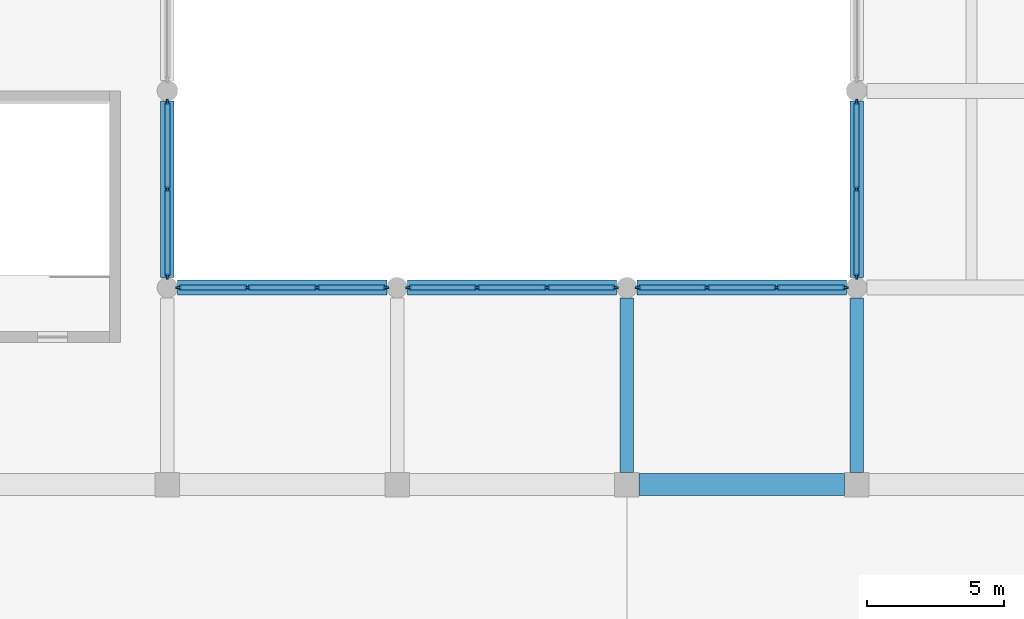
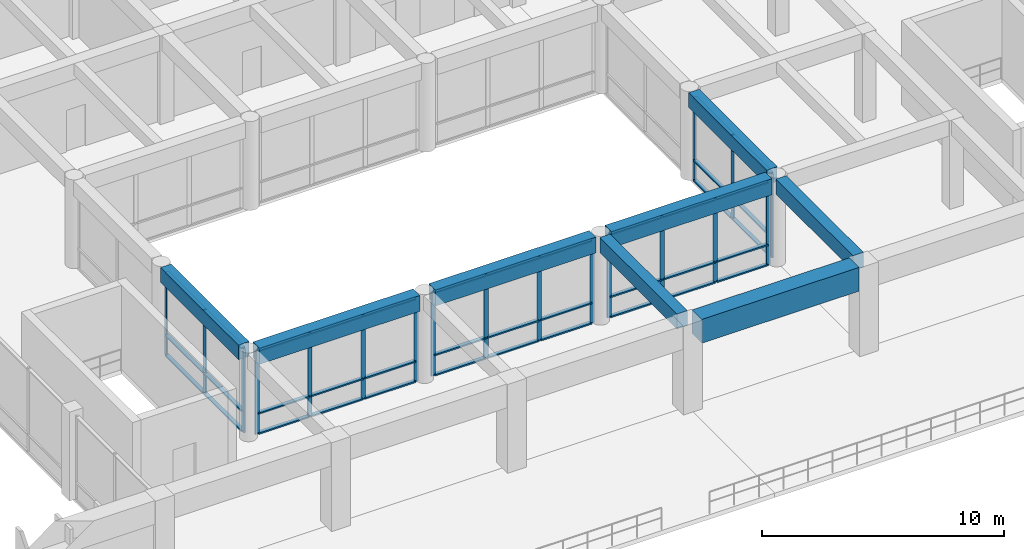
# One storey, part 11 of 40: 57 members, 8 beams, 5 elements without a shape of their own.
"""IFC4 building model written with IfcOpenShell, lengths in metres."""

from ifc_helpers import new_model, si_unit, direction, frame, origin, origin_2d, place, context, subcontext, project, spatial, rectangle, extrude, material, material_profile, profile_set, type_object, element, aggregate, save


model = new_model("IFC4")

# Units and contexts
model_context = context("Model", 3, precision=1e-05, world=origin(), true_north=direction((0.0, 1.0)))
body_context = subcontext(model_context, "Body", "Model", "MODEL_VIEW")
ifc_project = project(units=[si_unit("LENGTHUNIT", "METRE"), si_unit("AREAUNIT", "SQUARE_METRE"), si_unit("VOLUMEUNIT", "CUBIC_METRE"), si_unit("PLANEANGLEUNIT", "RADIAN"), si_unit("MASSUNIT", "GRAM", prefix="KILO")], contexts=[model_context])

# Site, building, storey
site_placement = place(None, origin())
site = spatial("IfcSite", under=ifc_project, at=site_placement, CompositionType="ELEMENT")
building_placement = place(site_placement, origin())
building = spatial("IfcBuilding", under=site, at=building_placement, Name="Kenerak Square Central Library", CompositionType="ELEMENT")
storey_placement = place(building_placement, frame((0.0, 0.0, 14.39990234375)))
storey = spatial("IfcBuildingStorey", under=building, at=storey_placement, Name="L03", CompositionType="ELEMENT", Elevation=14.39990234375)

# Curtain wall, members
ifc_material_1 = material(Name="Intumescent fire-resisting glazing EI 60", Category="glass")
curtain_wall_type_1 = type_object("IfcCurtainWallType", Name="Curtain Wall CW-AT60-76x42 7650x4230", PredefinedType="USERDEFINED", material=ifc_material_1)
curtain_wall_1_placement = place(storey_placement, origin())
curtain_wall_1 = element("IfcCurtainWall", 1, at=curtain_wall_1_placement, inside=storey, type_object=curtain_wall_type_1, Name="Atrium Fire-Rated Glazed Screen CW-AT60-76x42 L03 0167", ObjectType="CURTAIN WALL", PredefinedType="USERDEFINED")
ifc_material_2 = material(Name="Anodised aluminium 6063-T6", Category="aluminium")
ifc_material_profile_1 = material_profile(ifc_material_2, rectangle(XDim=0.070068359375, YDim=0.199951171875, at=origin_2d()), Name="AL MULLION 70x200")
ifc_profile_set_1 = profile_set([ifc_material_profile_1], Name="Anodised aluminium 6063-T6")
member_type_1 = type_object("IfcMemberType", Name="Fire-Rated Glazing Mullion CM-05 70x200", PredefinedType="MULLION", material=ifc_profile_set_1)
member_1_placement = place(storey_placement, frame((75.610107421875, 60.0, 0.0), z_axis=(0.0, 0.0, 1.0), x_axis=(0.0, 1.0, 0.0)))
member_1 = element("IfcMember", 2, at=member_1_placement, type_object=member_type_1, Name="CW-AT60-76x42 Mullion 1", PredefinedType="MULLION", context=body_context, shape_type="SweptSolid", body=[
    extrude(rectangle(XDim=0.070068359375, YDim=0.199951171875, at=origin_2d()), origin(), (0.0, 0.0, 1.0), 4.22998046875),
])
member_2_placement = place(storey_placement, frame((78.125, 60.0, 0.0), z_axis=(0.0, 0.0, 1.0), x_axis=(0.0, 1.0, 0.0)))
member_2 = element("IfcMember", 3, at=member_2_placement, type_object=member_type_1, Name="CW-AT60-76x42 Mullion 2", PredefinedType="MULLION", context=body_context, shape_type="SweptSolid", body=[
    extrude(rectangle(XDim=0.070068359375, YDim=0.199951171875, at=origin_2d()), origin(), (0.0, 0.0, 1.0), 4.22998046875),
])
member_3_placement = place(storey_placement, frame((80.675048828125, 60.0, 0.0), z_axis=(0.0, 0.0, 1.0), x_axis=(0.0, 1.0, 0.0)))
member_3 = element("IfcMember", 4, at=member_3_placement, type_object=member_type_1, Name="CW-AT60-76x42 Mullion 3", PredefinedType="MULLION", context=body_context, shape_type="SweptSolid", body=[
    extrude(rectangle(XDim=0.070068359375, YDim=0.199951171875, at=origin_2d()), origin(), (0.0, 0.0, 1.0), 4.22998046875),
])
member_4_placement = place(storey_placement, frame((83.18994140625, 60.0, 0.0), z_axis=(0.0, 0.0, 1.0), x_axis=(0.0, 1.0, 0.0)))
member_4 = element("IfcMember", 5, at=member_4_placement, type_object=member_type_1, Name="CW-AT60-76x42 Mullion 4", PredefinedType="MULLION", context=body_context, shape_type="SweptSolid", body=[
    extrude(rectangle(XDim=0.070068359375, YDim=0.199951171875, at=origin_2d()), origin(), (0.0, 0.0, 1.0), 4.22998046875),
])

curtain_wall_2_placement = place(storey_placement, origin())
curtain_wall_2 = element("IfcCurtainWall", 6, at=curtain_wall_2_placement, inside=storey, type_object=curtain_wall_type_1, Name="Atrium Fire-Rated Glazed Screen CW-AT60-76x42 L03 0168", ObjectType="CURTAIN WALL", PredefinedType="USERDEFINED")
member_5_placement = place(storey_placement, frame((84.010009765625, 60.0, 0.0), z_axis=(0.0, 0.0, 1.0), x_axis=(0.0, 1.0, 0.0)))
member_5 = element("IfcMember", 7, at=member_5_placement, type_object=member_type_1, Name="CW-AT60-76x42 Mullion 1", PredefinedType="MULLION", context=body_context, shape_type="SweptSolid", body=[
    extrude(rectangle(XDim=0.070068359375, YDim=0.199951171875, at=origin_2d()), origin(), (0.0, 0.0, 1.0), 4.22998046875),
])
member_6_placement = place(storey_placement, frame((86.52490234375, 60.0, 0.0), z_axis=(0.0, 0.0, 1.0), x_axis=(0.0, 1.0, 0.0)))
member_6 = element("IfcMember", 8, at=member_6_placement, type_object=member_type_1, Name="CW-AT60-76x42 Mullion 2", PredefinedType="MULLION", context=body_context, shape_type="SweptSolid", body=[
    extrude(rectangle(XDim=0.070068359375, YDim=0.199951171875, at=origin_2d()), origin(), (0.0, 0.0, 1.0), 4.22998046875),
])
member_7_placement = place(storey_placement, frame((89.074951171875, 60.0, 0.0), z_axis=(0.0, 0.0, 1.0), x_axis=(0.0, 1.0, 0.0)))
member_7 = element("IfcMember", 9, at=member_7_placement, type_object=member_type_1, Name="CW-AT60-76x42 Mullion 3", PredefinedType="MULLION", context=body_context, shape_type="SweptSolid", body=[
    extrude(rectangle(XDim=0.070068359375, YDim=0.199951171875, at=origin_2d()), origin(), (0.0, 0.0, 1.0), 4.22998046875),
])
member_8_placement = place(storey_placement, frame((91.590087890625, 60.0, 0.0), z_axis=(0.0, 0.0, 1.0), x_axis=(0.0, 1.0, 0.0)))
member_8 = element("IfcMember", 10, at=member_8_placement, type_object=member_type_1, Name="CW-AT60-76x42 Mullion 4", PredefinedType="MULLION", context=body_context, shape_type="SweptSolid", body=[
    extrude(rectangle(XDim=0.070068359375, YDim=0.199951171875, at=origin_2d()), origin(), (0.0, 0.0, 1.0), 4.22998046875),
])

curtain_wall_3_placement = place(storey_placement, origin())
curtain_wall_3 = element("IfcCurtainWall", 11, at=curtain_wall_3_placement, inside=storey, type_object=curtain_wall_type_1, Name="Atrium Fire-Rated Glazed Screen CW-AT60-76x42 L03 0169", ObjectType="CURTAIN WALL", PredefinedType="USERDEFINED")
member_9_placement = place(storey_placement, frame((92.409912109375, 60.0, 0.0), z_axis=(0.0, 0.0, 1.0), x_axis=(0.0, 1.0, 0.0)))
member_9 = element("IfcMember", 12, at=member_9_placement, type_object=member_type_1, Name="CW-AT60-76x42 Mullion 1", PredefinedType="MULLION", context=body_context, shape_type="SweptSolid", body=[
    extrude(rectangle(XDim=0.070068359375, YDim=0.199951171875, at=origin_2d()), origin(), (0.0, 0.0, 1.0), 4.22998046875),
])
member_10_placement = place(storey_placement, frame((94.925048828125, 60.0, 0.0), z_axis=(0.0, 0.0, 1.0), x_axis=(0.0, 1.0, 0.0)))
member_10 = element("IfcMember", 13, at=member_10_placement, type_object=member_type_1, Name="CW-AT60-76x42 Mullion 2", PredefinedType="MULLION", context=body_context, shape_type="SweptSolid", body=[
    extrude(rectangle(XDim=0.070068359375, YDim=0.199951171875, at=origin_2d()), origin(), (0.0, 0.0, 1.0), 4.22998046875),
])
member_11_placement = place(storey_placement, frame((97.47509765625, 60.0, 0.0), z_axis=(0.0, 0.0, 1.0), x_axis=(0.0, 1.0, 0.0)))
member_11 = element("IfcMember", 14, at=member_11_placement, type_object=member_type_1, Name="CW-AT60-76x42 Mullion 3", PredefinedType="MULLION", context=body_context, shape_type="SweptSolid", body=[
    extrude(rectangle(XDim=0.070068359375, YDim=0.199951171875, at=origin_2d()), origin(), (0.0, 0.0, 1.0), 4.22998046875),
])
member_12_placement = place(storey_placement, frame((99.989990234375, 60.0, 0.0), z_axis=(0.0, 0.0, 1.0), x_axis=(0.0, 1.0, 0.0)))
member_12 = element("IfcMember", 15, at=member_12_placement, type_object=member_type_1, Name="CW-AT60-76x42 Mullion 4", PredefinedType="MULLION", context=body_context, shape_type="SweptSolid", body=[
    extrude(rectangle(XDim=0.070068359375, YDim=0.199951171875, at=origin_2d()), origin(), (0.0, 0.0, 1.0), 4.22998046875),
])

curtain_wall_type_2 = type_object("IfcCurtainWallType", Name="Curtain Wall CW-AT60-64x42 6450x4230", PredefinedType="USERDEFINED", material=ifc_material_1)
curtain_wall_4_placement = place(storey_placement, origin())
curtain_wall_4 = element("IfcCurtainWall", 16, at=curtain_wall_4_placement, inside=storey, type_object=curtain_wall_type_2, Name="Atrium Fire-Rated Glazed Screen CW-AT60-64x42 L03 0170", ObjectType="CURTAIN WALL", PredefinedType="USERDEFINED")
member_13_placement = place(storey_placement, frame((100.39990234375, 60.409912109375, 0.0), z_axis=(0.0, 0.0, 1.0), x_axis=(-1.0, 0.0, 0.0)))
member_13 = element("IfcMember", 17, at=member_13_placement, type_object=member_type_1, Name="CW-AT60-64x42 Mullion 1", PredefinedType="MULLION", context=body_context, shape_type="SweptSolid", body=[
    extrude(rectangle(XDim=0.070068359375, YDim=0.199951171875, at=origin_2d()), origin(), (0.0, 0.0, 1.0), 4.22998046875),
])
member_14_placement = place(storey_placement, frame((100.39990234375, 63.60009765625, 0.0), z_axis=(0.0, 0.0, 1.0), x_axis=(-1.0, 0.0, 0.0)))
member_14 = element("IfcMember", 18, at=member_14_placement, type_object=member_type_1, Name="CW-AT60-64x42 Mullion 2", PredefinedType="MULLION", context=body_context, shape_type="SweptSolid", body=[
    extrude(rectangle(XDim=0.070068359375, YDim=0.199951171875, at=origin_2d()), origin(), (0.0, 0.0, 1.0), 4.22998046875),
])
member_15_placement = place(storey_placement, frame((100.39990234375, 66.7900390625, 0.0), z_axis=(0.0, 0.0, 1.0), x_axis=(-1.0, 0.0, 0.0)))
member_15 = element("IfcMember", 19, at=member_15_placement, type_object=member_type_1, Name="CW-AT60-64x42 Mullion 3", PredefinedType="MULLION", context=body_context, shape_type="SweptSolid", body=[
    extrude(rectangle(XDim=0.070068359375, YDim=0.199951171875, at=origin_2d()), origin(), (0.0, 0.0, 1.0), 4.22998046875),
])

curtain_wall_5_placement = place(storey_placement, origin())
curtain_wall_5 = element("IfcCurtainWall", 20, at=curtain_wall_5_placement, inside=storey, type_object=curtain_wall_type_2, Name="Atrium Fire-Rated Glazed Screen CW-AT60-64x42 L03 0176", ObjectType="CURTAIN WALL", PredefinedType="USERDEFINED")
member_16_placement = place(storey_placement, frame((75.199951171875, 66.7900390625, 0.0), z_axis=(0.0, 0.0, 1.0), x_axis=(1.0, 0.0, 0.0)))
member_16 = element("IfcMember", 21, at=member_16_placement, type_object=member_type_1, Name="CW-AT60-64x42 Mullion 1", PredefinedType="MULLION", context=body_context, shape_type="SweptSolid", body=[
    extrude(rectangle(XDim=0.070068359375, YDim=0.199951171875, at=origin_2d()), origin(), (0.0, 0.0, 1.0), 4.22998046875),
])
member_17_placement = place(storey_placement, frame((75.199951171875, 63.60009765625, 0.0), z_axis=(0.0, 0.0, 1.0), x_axis=(1.0, 0.0, 0.0)))
member_17 = element("IfcMember", 22, at=member_17_placement, type_object=member_type_1, Name="CW-AT60-64x42 Mullion 2", PredefinedType="MULLION", context=body_context, shape_type="SweptSolid", body=[
    extrude(rectangle(XDim=0.070068359375, YDim=0.199951171875, at=origin_2d()), origin(), (0.0, 0.0, 1.0), 4.22998046875),
])
member_18_placement = place(storey_placement, frame((75.199951171875, 60.409912109375, 0.0), z_axis=(0.0, 0.0, 1.0), x_axis=(1.0, 0.0, 0.0)))
member_18 = element("IfcMember", 23, at=member_18_placement, type_object=member_type_1, Name="CW-AT60-64x42 Mullion 3", PredefinedType="MULLION", context=body_context, shape_type="SweptSolid", body=[
    extrude(rectangle(XDim=0.070068359375, YDim=0.199951171875, at=origin_2d()), origin(), (0.0, 0.0, 1.0), 4.22998046875),
])

# Member
ifc_material_profile_2 = material_profile(ifc_material_2, rectangle(XDim=0.179931640625, YDim=0.070068359375, at=origin_2d()), Name="AL TRANSOM 180x70")
ifc_profile_set_2 = profile_set([ifc_material_profile_2], Name="Anodised aluminium 6063-T6")
member_type_2 = type_object("IfcMemberType", Name="Fire-Rated Glazing Transom CT-15 180x70", PredefinedType="USERDEFINED", material=ifc_profile_set_2)
member_19_placement = place(storey_placement, frame((75.64501953125, 60.0, 0.03515625), z_axis=(1.0, 0.0, 0.0), x_axis=(0.0, 1.0, 0.0)))
member_19 = element("IfcMember", 24, at=member_19_placement, type_object=member_type_2, Name="CW-AT60-76x42 Transom 1.1", ObjectType="TRANSOM", PredefinedType="USERDEFINED", context=body_context, shape_type="SweptSolid", body=[
    extrude(rectangle(XDim=0.179931640625, YDim=0.070068359375, at=origin_2d()), origin(), (0.0, 0.0, 1.0), 2.445068359375),
])

member_20_placement = place(storey_placement, frame((75.64501953125, 60.0, 1.050048828125), z_axis=(1.0, 0.0, 0.0), x_axis=(0.0, 1.0, 0.0)))
member_20 = element("IfcMember", 25, at=member_20_placement, type_object=member_type_2, Name="CW-AT60-76x42 Transom 1.2", ObjectType="TRANSOM", PredefinedType="USERDEFINED", context=body_context, shape_type="SweptSolid", body=[
    extrude(rectangle(XDim=0.179931640625, YDim=0.070068359375, at=origin_2d()), origin(), (0.0, 0.0, 1.0), 2.445068359375),
])

member_21_placement = place(storey_placement, frame((75.64501953125, 60.0, 4.195068359375), z_axis=(1.0, 0.0, 0.0), x_axis=(0.0, 1.0, 0.0)))
member_21 = element("IfcMember", 26, at=member_21_placement, type_object=member_type_2, Name="CW-AT60-76x42 Transom 1.3", ObjectType="TRANSOM", PredefinedType="USERDEFINED", context=body_context, shape_type="SweptSolid", body=[
    extrude(rectangle(XDim=0.179931640625, YDim=0.070068359375, at=origin_2d()), origin(), (0.0, 0.0, 1.0), 2.445068359375),
])

member_22_placement = place(storey_placement, frame((78.159912109375, 60.0, 0.03515625), z_axis=(1.0, 0.0, 0.0), x_axis=(0.0, 1.0, 0.0)))
member_22 = element("IfcMember", 27, at=member_22_placement, type_object=member_type_2, Name="CW-AT60-76x42 Transom 2.1", ObjectType="TRANSOM", PredefinedType="USERDEFINED", context=body_context, shape_type="SweptSolid", body=[
    extrude(rectangle(XDim=0.179931640625, YDim=0.070068359375, at=origin_2d()), origin(), (0.0, 0.0, 1.0), 2.47998046875),
])

member_23_placement = place(storey_placement, frame((78.159912109375, 60.0, 1.050048828125), z_axis=(1.0, 0.0, 0.0), x_axis=(0.0, 1.0, 0.0)))
member_23 = element("IfcMember", 28, at=member_23_placement, type_object=member_type_2, Name="CW-AT60-76x42 Transom 2.2", ObjectType="TRANSOM", PredefinedType="USERDEFINED", context=body_context, shape_type="SweptSolid", body=[
    extrude(rectangle(XDim=0.179931640625, YDim=0.070068359375, at=origin_2d()), origin(), (0.0, 0.0, 1.0), 2.47998046875),
])

member_24_placement = place(storey_placement, frame((78.159912109375, 60.0, 4.195068359375), z_axis=(1.0, 0.0, 0.0), x_axis=(0.0, 1.0, 0.0)))
member_24 = element("IfcMember", 29, at=member_24_placement, type_object=member_type_2, Name="CW-AT60-76x42 Transom 2.3", ObjectType="TRANSOM", PredefinedType="USERDEFINED", context=body_context, shape_type="SweptSolid", body=[
    extrude(rectangle(XDim=0.179931640625, YDim=0.070068359375, at=origin_2d()), origin(), (0.0, 0.0, 1.0), 2.47998046875),
])

member_25_placement = place(storey_placement, frame((80.7099609375, 60.0, 0.03515625), z_axis=(1.0, 0.0, 0.0), x_axis=(0.0, 1.0, 0.0)))
member_25 = element("IfcMember", 30, at=member_25_placement, type_object=member_type_2, Name="CW-AT60-76x42 Transom 3.1", ObjectType="TRANSOM", PredefinedType="USERDEFINED", context=body_context, shape_type="SweptSolid", body=[
    extrude(rectangle(XDim=0.179931640625, YDim=0.070068359375, at=origin_2d()), origin(), (0.0, 0.0, 1.0), 2.445068359375),
])

member_26_placement = place(storey_placement, frame((80.7099609375, 60.0, 1.050048828125), z_axis=(1.0, 0.0, 0.0), x_axis=(0.0, 1.0, 0.0)))
member_26 = element("IfcMember", 31, at=member_26_placement, type_object=member_type_2, Name="CW-AT60-76x42 Transom 3.2", ObjectType="TRANSOM", PredefinedType="USERDEFINED", context=body_context, shape_type="SweptSolid", body=[
    extrude(rectangle(XDim=0.179931640625, YDim=0.070068359375, at=origin_2d()), origin(), (0.0, 0.0, 1.0), 2.445068359375),
])

member_27_placement = place(storey_placement, frame((80.7099609375, 60.0, 4.195068359375), z_axis=(1.0, 0.0, 0.0), x_axis=(0.0, 1.0, 0.0)))
member_27 = element("IfcMember", 32, at=member_27_placement, type_object=member_type_2, Name="CW-AT60-76x42 Transom 3.3", ObjectType="TRANSOM", PredefinedType="USERDEFINED", context=body_context, shape_type="SweptSolid", body=[
    extrude(rectangle(XDim=0.179931640625, YDim=0.070068359375, at=origin_2d()), origin(), (0.0, 0.0, 1.0), 2.445068359375),
])

aggregate(curtain_wall_1, [member_1, member_2, member_3, member_4, member_19, member_20, member_21, member_22, member_23, member_24, member_25, member_26, member_27])

member_28_placement = place(storey_placement, frame((84.044921875, 60.0, 0.03515625), z_axis=(1.0, 0.0, 0.0), x_axis=(0.0, 1.0, 0.0)))
member_28 = element("IfcMember", 33, at=member_28_placement, type_object=member_type_2, Name="CW-AT60-76x42 Transom 1.1", ObjectType="TRANSOM", PredefinedType="USERDEFINED", context=body_context, shape_type="SweptSolid", body=[
    extrude(rectangle(XDim=0.179931640625, YDim=0.070068359375, at=origin_2d()), origin(), (0.0, 0.0, 1.0), 2.445068359375),
])

member_29_placement = place(storey_placement, frame((84.044921875, 60.0, 1.050048828125), z_axis=(1.0, 0.0, 0.0), x_axis=(0.0, 1.0, 0.0)))
member_29 = element("IfcMember", 34, at=member_29_placement, type_object=member_type_2, Name="CW-AT60-76x42 Transom 1.2", ObjectType="TRANSOM", PredefinedType="USERDEFINED", context=body_context, shape_type="SweptSolid", body=[
    extrude(rectangle(XDim=0.179931640625, YDim=0.070068359375, at=origin_2d()), origin(), (0.0, 0.0, 1.0), 2.445068359375),
])

member_30_placement = place(storey_placement, frame((84.044921875, 60.0, 4.195068359375), z_axis=(1.0, 0.0, 0.0), x_axis=(0.0, 1.0, 0.0)))
member_30 = element("IfcMember", 35, at=member_30_placement, type_object=member_type_2, Name="CW-AT60-76x42 Transom 1.3", ObjectType="TRANSOM", PredefinedType="USERDEFINED", context=body_context, shape_type="SweptSolid", body=[
    extrude(rectangle(XDim=0.179931640625, YDim=0.070068359375, at=origin_2d()), origin(), (0.0, 0.0, 1.0), 2.445068359375),
])

member_31_placement = place(storey_placement, frame((86.56005859375, 60.0, 0.03515625), z_axis=(1.0, 0.0, 0.0), x_axis=(0.0, 1.0, 0.0)))
member_31 = element("IfcMember", 36, at=member_31_placement, type_object=member_type_2, Name="CW-AT60-76x42 Transom 2.1", ObjectType="TRANSOM", PredefinedType="USERDEFINED", context=body_context, shape_type="SweptSolid", body=[
    extrude(rectangle(XDim=0.179931640625, YDim=0.070068359375, at=origin_2d()), origin(), (0.0, 0.0, 1.0), 2.47998046875),
])

member_32_placement = place(storey_placement, frame((86.56005859375, 60.0, 1.050048828125), z_axis=(1.0, 0.0, 0.0), x_axis=(0.0, 1.0, 0.0)))
member_32 = element("IfcMember", 37, at=member_32_placement, type_object=member_type_2, Name="CW-AT60-76x42 Transom 2.2", ObjectType="TRANSOM", PredefinedType="USERDEFINED", context=body_context, shape_type="SweptSolid", body=[
    extrude(rectangle(XDim=0.179931640625, YDim=0.070068359375, at=origin_2d()), origin(), (0.0, 0.0, 1.0), 2.47998046875),
])

member_33_placement = place(storey_placement, frame((86.56005859375, 60.0, 4.195068359375), z_axis=(1.0, 0.0, 0.0), x_axis=(0.0, 1.0, 0.0)))
member_33 = element("IfcMember", 38, at=member_33_placement, type_object=member_type_2, Name="CW-AT60-76x42 Transom 2.3", ObjectType="TRANSOM", PredefinedType="USERDEFINED", context=body_context, shape_type="SweptSolid", body=[
    extrude(rectangle(XDim=0.179931640625, YDim=0.070068359375, at=origin_2d()), origin(), (0.0, 0.0, 1.0), 2.47998046875),
])

member_34_placement = place(storey_placement, frame((89.110107421875, 60.0, 0.03515625), z_axis=(1.0, 0.0, 0.0), x_axis=(0.0, 1.0, 0.0)))
member_34 = element("IfcMember", 39, at=member_34_placement, type_object=member_type_2, Name="CW-AT60-76x42 Transom 3.1", ObjectType="TRANSOM", PredefinedType="USERDEFINED", context=body_context, shape_type="SweptSolid", body=[
    extrude(rectangle(XDim=0.179931640625, YDim=0.070068359375, at=origin_2d()), origin(), (0.0, 0.0, 1.0), 2.44482421875),
])

member_35_placement = place(storey_placement, frame((89.110107421875, 60.0, 1.050048828125), z_axis=(1.0, 0.0, 0.0), x_axis=(0.0, 1.0, 0.0)))
member_35 = element("IfcMember", 40, at=member_35_placement, type_object=member_type_2, Name="CW-AT60-76x42 Transom 3.2", ObjectType="TRANSOM", PredefinedType="USERDEFINED", context=body_context, shape_type="SweptSolid", body=[
    extrude(rectangle(XDim=0.179931640625, YDim=0.070068359375, at=origin_2d()), origin(), (0.0, 0.0, 1.0), 2.44482421875),
])

member_36_placement = place(storey_placement, frame((89.110107421875, 60.0, 4.195068359375), z_axis=(1.0, 0.0, 0.0), x_axis=(0.0, 1.0, 0.0)))
member_36 = element("IfcMember", 41, at=member_36_placement, type_object=member_type_2, Name="CW-AT60-76x42 Transom 3.3", ObjectType="TRANSOM", PredefinedType="USERDEFINED", context=body_context, shape_type="SweptSolid", body=[
    extrude(rectangle(XDim=0.179931640625, YDim=0.070068359375, at=origin_2d()), origin(), (0.0, 0.0, 1.0), 2.44482421875),
])

aggregate(curtain_wall_2, [member_5, member_6, member_7, member_8, member_28, member_29, member_30, member_31, member_32, member_33, member_34, member_35, member_36])

member_37_placement = place(storey_placement, frame((92.445068359375, 60.0, 0.03515625), z_axis=(1.0, 0.0, 0.0), x_axis=(0.0, 1.0, 0.0)))
member_37 = element("IfcMember", 42, at=member_37_placement, type_object=member_type_2, Name="CW-AT60-76x42 Transom 1.1", ObjectType="TRANSOM", PredefinedType="USERDEFINED", context=body_context, shape_type="SweptSolid", body=[
    extrude(rectangle(XDim=0.179931640625, YDim=0.070068359375, at=origin_2d()), origin(), (0.0, 0.0, 1.0), 2.44482421875),
])

member_38_placement = place(storey_placement, frame((92.445068359375, 60.0, 1.050048828125), z_axis=(1.0, 0.0, 0.0), x_axis=(0.0, 1.0, 0.0)))
member_38 = element("IfcMember", 43, at=member_38_placement, type_object=member_type_2, Name="CW-AT60-76x42 Transom 1.2", ObjectType="TRANSOM", PredefinedType="USERDEFINED", context=body_context, shape_type="SweptSolid", body=[
    extrude(rectangle(XDim=0.179931640625, YDim=0.070068359375, at=origin_2d()), origin(), (0.0, 0.0, 1.0), 2.44482421875),
])

member_39_placement = place(storey_placement, frame((92.445068359375, 60.0, 4.195068359375), z_axis=(1.0, 0.0, 0.0), x_axis=(0.0, 1.0, 0.0)))
member_39 = element("IfcMember", 44, at=member_39_placement, type_object=member_type_2, Name="CW-AT60-76x42 Transom 1.3", ObjectType="TRANSOM", PredefinedType="USERDEFINED", context=body_context, shape_type="SweptSolid", body=[
    extrude(rectangle(XDim=0.179931640625, YDim=0.070068359375, at=origin_2d()), origin(), (0.0, 0.0, 1.0), 2.44482421875),
])

member_40_placement = place(storey_placement, frame((94.9599609375, 60.0, 0.03515625), z_axis=(1.0, 0.0, 0.0), x_axis=(0.0, 1.0, 0.0)))
member_40 = element("IfcMember", 45, at=member_40_placement, type_object=member_type_2, Name="CW-AT60-76x42 Transom 2.1", ObjectType="TRANSOM", PredefinedType="USERDEFINED", context=body_context, shape_type="SweptSolid", body=[
    extrude(rectangle(XDim=0.179931640625, YDim=0.070068359375, at=origin_2d()), origin(), (0.0, 0.0, 1.0), 2.47998046875),
])

member_41_placement = place(storey_placement, frame((94.9599609375, 60.0, 1.050048828125), z_axis=(1.0, 0.0, 0.0), x_axis=(0.0, 1.0, 0.0)))
member_41 = element("IfcMember", 46, at=member_41_placement, type_object=member_type_2, Name="CW-AT60-76x42 Transom 2.2", ObjectType="TRANSOM", PredefinedType="USERDEFINED", context=body_context, shape_type="SweptSolid", body=[
    extrude(rectangle(XDim=0.179931640625, YDim=0.070068359375, at=origin_2d()), origin(), (0.0, 0.0, 1.0), 2.47998046875),
])

member_42_placement = place(storey_placement, frame((94.9599609375, 60.0, 4.195068359375), z_axis=(1.0, 0.0, 0.0), x_axis=(0.0, 1.0, 0.0)))
member_42 = element("IfcMember", 47, at=member_42_placement, type_object=member_type_2, Name="CW-AT60-76x42 Transom 2.3", ObjectType="TRANSOM", PredefinedType="USERDEFINED", context=body_context, shape_type="SweptSolid", body=[
    extrude(rectangle(XDim=0.179931640625, YDim=0.070068359375, at=origin_2d()), origin(), (0.0, 0.0, 1.0), 2.47998046875),
])

member_43_placement = place(storey_placement, frame((97.510009765625, 60.0, 0.03515625), z_axis=(1.0, 0.0, 0.0), x_axis=(0.0, 1.0, 0.0)))
member_43 = element("IfcMember", 48, at=member_43_placement, type_object=member_type_2, Name="CW-AT60-76x42 Transom 3.1", ObjectType="TRANSOM", PredefinedType="USERDEFINED", context=body_context, shape_type="SweptSolid", body=[
    extrude(rectangle(XDim=0.179931640625, YDim=0.070068359375, at=origin_2d()), origin(), (0.0, 0.0, 1.0), 2.445068359375),
])

member_44_placement = place(storey_placement, frame((97.510009765625, 60.0, 1.050048828125), z_axis=(1.0, 0.0, 0.0), x_axis=(0.0, 1.0, 0.0)))
member_44 = element("IfcMember", 49, at=member_44_placement, type_object=member_type_2, Name="CW-AT60-76x42 Transom 3.2", ObjectType="TRANSOM", PredefinedType="USERDEFINED", context=body_context, shape_type="SweptSolid", body=[
    extrude(rectangle(XDim=0.179931640625, YDim=0.070068359375, at=origin_2d()), origin(), (0.0, 0.0, 1.0), 2.445068359375),
])

member_45_placement = place(storey_placement, frame((97.510009765625, 60.0, 4.195068359375), z_axis=(1.0, 0.0, 0.0), x_axis=(0.0, 1.0, 0.0)))
member_45 = element("IfcMember", 50, at=member_45_placement, type_object=member_type_2, Name="CW-AT60-76x42 Transom 3.3", ObjectType="TRANSOM", PredefinedType="USERDEFINED", context=body_context, shape_type="SweptSolid", body=[
    extrude(rectangle(XDim=0.179931640625, YDim=0.070068359375, at=origin_2d()), origin(), (0.0, 0.0, 1.0), 2.445068359375),
])

aggregate(curtain_wall_3, [member_9, member_10, member_11, member_12, member_37, member_38, member_39, member_40, member_41, member_42, member_43, member_44, member_45])

member_46_placement = place(storey_placement, frame((100.39990234375, 60.445068359375, 0.03515625), z_axis=(0.0, 1.0, 0.0), x_axis=(-1.0, 0.0, 0.0)))
member_46 = element("IfcMember", 51, at=member_46_placement, type_object=member_type_2, Name="CW-AT60-64x42 Transom 1.1", ObjectType="TRANSOM", PredefinedType="USERDEFINED", context=body_context, shape_type="SweptSolid", body=[
    extrude(rectangle(XDim=0.179931640625, YDim=0.070068359375, at=origin_2d()), origin(), (0.0, 0.0, 1.0), 3.119873046875),
])

member_47_placement = place(storey_placement, frame((100.39990234375, 60.445068359375, 1.050048828125), z_axis=(0.0, 1.0, 0.0), x_axis=(-1.0, 0.0, 0.0)))
member_47 = element("IfcMember", 52, at=member_47_placement, type_object=member_type_2, Name="CW-AT60-64x42 Transom 1.2", ObjectType="TRANSOM", PredefinedType="USERDEFINED", context=body_context, shape_type="SweptSolid", body=[
    extrude(rectangle(XDim=0.179931640625, YDim=0.070068359375, at=origin_2d()), origin(), (0.0, 0.0, 1.0), 3.119873046875),
])

member_48_placement = place(storey_placement, frame((100.39990234375, 60.445068359375, 4.195068359375), z_axis=(0.0, 1.0, 0.0), x_axis=(-1.0, 0.0, 0.0)))
member_48 = element("IfcMember", 53, at=member_48_placement, type_object=member_type_2, Name="CW-AT60-64x42 Transom 1.3", ObjectType="TRANSOM", PredefinedType="USERDEFINED", context=body_context, shape_type="SweptSolid", body=[
    extrude(rectangle(XDim=0.179931640625, YDim=0.070068359375, at=origin_2d()), origin(), (0.0, 0.0, 1.0), 3.119873046875),
])

member_49_placement = place(storey_placement, frame((100.39990234375, 63.635009765625, 0.03515625), z_axis=(0.0, 1.0, 0.0), x_axis=(-1.0, 0.0, 0.0)))
member_49 = element("IfcMember", 54, at=member_49_placement, type_object=member_type_2, Name="CW-AT60-64x42 Transom 2.1", ObjectType="TRANSOM", PredefinedType="USERDEFINED", context=body_context, shape_type="SweptSolid", body=[
    extrude(rectangle(XDim=0.179931640625, YDim=0.070068359375, at=origin_2d()), origin(), (0.0, 0.0, 1.0), 3.119873046875),
])

member_50_placement = place(storey_placement, frame((100.39990234375, 63.635009765625, 1.050048828125), z_axis=(0.0, 1.0, 0.0), x_axis=(-1.0, 0.0, 0.0)))
member_50 = element("IfcMember", 55, at=member_50_placement, type_object=member_type_2, Name="CW-AT60-64x42 Transom 2.2", ObjectType="TRANSOM", PredefinedType="USERDEFINED", context=body_context, shape_type="SweptSolid", body=[
    extrude(rectangle(XDim=0.179931640625, YDim=0.070068359375, at=origin_2d()), origin(), (0.0, 0.0, 1.0), 3.119873046875),
])

member_51_placement = place(storey_placement, frame((100.39990234375, 63.635009765625, 4.195068359375), z_axis=(0.0, 1.0, 0.0), x_axis=(-1.0, 0.0, 0.0)))
member_51 = element("IfcMember", 56, at=member_51_placement, type_object=member_type_2, Name="CW-AT60-64x42 Transom 2.3", ObjectType="TRANSOM", PredefinedType="USERDEFINED", context=body_context, shape_type="SweptSolid", body=[
    extrude(rectangle(XDim=0.179931640625, YDim=0.070068359375, at=origin_2d()), origin(), (0.0, 0.0, 1.0), 3.119873046875),
])

aggregate(curtain_wall_4, [member_13, member_14, member_15, member_46, member_47, member_48, member_49, member_50, member_51])

member_52_placement = place(storey_placement, frame((75.199951171875, 66.7548828125, 0.03515625), z_axis=(0.0, -1.0, 0.0), x_axis=(1.0, 0.0, 0.0)))
member_52 = element("IfcMember", 57, at=member_52_placement, type_object=member_type_2, Name="CW-AT60-64x42 Transom 1.1", ObjectType="TRANSOM", PredefinedType="USERDEFINED", context=body_context, shape_type="SweptSolid", body=[
    extrude(rectangle(XDim=0.179931640625, YDim=0.070068359375, at=origin_2d()), origin(), (0.0, 0.0, 1.0), 3.119873046875),
])

member_53_placement = place(storey_placement, frame((75.199951171875, 66.7548828125, 1.050048828125), z_axis=(0.0, -1.0, 0.0), x_axis=(1.0, 0.0, 0.0)))
member_53 = element("IfcMember", 58, at=member_53_placement, type_object=member_type_2, Name="CW-AT60-64x42 Transom 1.2", ObjectType="TRANSOM", PredefinedType="USERDEFINED", context=body_context, shape_type="SweptSolid", body=[
    extrude(rectangle(XDim=0.179931640625, YDim=0.070068359375, at=origin_2d()), origin(), (0.0, 0.0, 1.0), 3.119873046875),
])

member_54_placement = place(storey_placement, frame((75.199951171875, 66.7548828125, 4.195068359375), z_axis=(0.0, -1.0, 0.0), x_axis=(1.0, 0.0, 0.0)))
member_54 = element("IfcMember", 59, at=member_54_placement, type_object=member_type_2, Name="CW-AT60-64x42 Transom 1.3", ObjectType="TRANSOM", PredefinedType="USERDEFINED", context=body_context, shape_type="SweptSolid", body=[
    extrude(rectangle(XDim=0.179931640625, YDim=0.070068359375, at=origin_2d()), origin(), (0.0, 0.0, 1.0), 3.119873046875),
])

member_55_placement = place(storey_placement, frame((75.199951171875, 63.56494140625, 0.03515625), z_axis=(0.0, -1.0, 0.0), x_axis=(1.0, 0.0, 0.0)))
member_55 = element("IfcMember", 60, at=member_55_placement, type_object=member_type_2, Name="CW-AT60-64x42 Transom 2.1", ObjectType="TRANSOM", PredefinedType="USERDEFINED", context=body_context, shape_type="SweptSolid", body=[
    extrude(rectangle(XDim=0.179931640625, YDim=0.070068359375, at=origin_2d()), origin(), (0.0, 0.0, 1.0), 3.119873046875),
])

member_56_placement = place(storey_placement, frame((75.199951171875, 63.56494140625, 1.050048828125), z_axis=(0.0, -1.0, 0.0), x_axis=(1.0, 0.0, 0.0)))
member_56 = element("IfcMember", 61, at=member_56_placement, type_object=member_type_2, Name="CW-AT60-64x42 Transom 2.2", ObjectType="TRANSOM", PredefinedType="USERDEFINED", context=body_context, shape_type="SweptSolid", body=[
    extrude(rectangle(XDim=0.179931640625, YDim=0.070068359375, at=origin_2d()), origin(), (0.0, 0.0, 1.0), 3.119873046875),
])

member_57_placement = place(storey_placement, frame((75.199951171875, 63.56494140625, 4.195068359375), z_axis=(0.0, -1.0, 0.0), x_axis=(1.0, 0.0, 0.0)))
member_57 = element("IfcMember", 62, at=member_57_placement, type_object=member_type_2, Name="CW-AT60-64x42 Transom 2.3", ObjectType="TRANSOM", PredefinedType="USERDEFINED", context=body_context, shape_type="SweptSolid", body=[
    extrude(rectangle(XDim=0.179931640625, YDim=0.070068359375, at=origin_2d()), origin(), (0.0, 0.0, 1.0), 3.119873046875),
])

aggregate(curtain_wall_5, [member_16, member_17, member_18, member_52, member_53, member_54, member_55, member_56, member_57])

# Beams
ifc_material_3 = material(Name="Concrete C45/55", Category="concrete")
ifc_material_profile_3 = material_profile(ifc_material_3, rectangle(XDim=0.800048828125, YDim=1.199951171875, at=origin_2d()), Name="RC 800x1200")
ifc_profile_set_3 = profile_set([ifc_material_profile_3], Name="Concrete C45/55")
beam_type_1 = type_object("IfcBeamType", Name="Gridshell Ring Beam RB-01 RC 800x1200 C45/55", PredefinedType="BEAM", material=ifc_profile_set_3)
beam_1_placement = place(storey_placement, frame((92.449951171875, 52.800048828125, 3.880126953125), z_axis=(1.0, 0.0, 0.0), x_axis=(0.0, 1.0, 0.0)))
element("IfcBeam", 63, at=beam_1_placement, inside=storey, type_object=beam_type_1, Name="Gridshell Ring Beam RB-01 12", PredefinedType="BEAM", context=body_context, shape_type="SweptSolid", body=[
    extrude(rectangle(XDim=0.800048828125, YDim=1.199951171875, at=origin_2d()), origin(), (0.0, 0.0, 1.0), 7.5),
])
ifc_material_4 = material(Name="Concrete C40/50", Category="concrete")
ifc_material_profile_4 = material_profile(ifc_material_4, rectangle(XDim=0.550048828125, YDim=0.800048828125, at=origin_2d()), Name="RC 550x800")
ifc_profile_set_4 = profile_set([ifc_material_profile_4], Name="Concrete C40/50")
beam_type_2 = type_object("IfcBeamType", Name="Primary Reading Beam B-04 RC 550x800 C40/50", PredefinedType="BEAM", material=ifc_profile_set_4)
beam_2_placement = place(storey_placement, frame((75.574951171875, 60.0, 4.080078125), z_axis=(1.0, 0.0, 0.0), x_axis=(0.0, 1.0, 0.0)))
element("IfcBeam", 64, at=beam_2_placement, inside=storey, type_object=beam_type_2, Name="Beam B-04 L03 1422", PredefinedType="BEAM", context=body_context, shape_type="SweptSolid", body=[
    extrude(rectangle(XDim=0.550048828125, YDim=0.800048828125, at=origin_2d()), origin(), (0.0, 0.0, 1.0), 7.650146484375),
])
for number, where, z_axis, x_axis, name in (
    (65, (83.97509765625, 60.0, 4.080078125), (1.0, 0.0, 0.0), (0.0, 1.0, 0.0), "Beam B-04 L03 1423"),
    (66, (92.375, 60.0, 4.080078125), (1.0, 0.0, 0.0), (0.0, 1.0, 0.0), "Beam B-04 L03 1424"),
):
    element("IfcBeam", number, at=place(storey_placement, frame(where, z_axis=z_axis, x_axis=x_axis)), inside=storey, type_object=beam_type_2, Name=name, PredefinedType="BEAM", context=body_context, shape_type="SweptSolid", body=[
        extrude(rectangle(XDim=0.550048828125, YDim=0.800048828125, at=origin_2d()), origin(), (0.0, 0.0, 1.0), 7.64990234375),
    ])
ifc_material_profile_5 = material_profile(ifc_material_4, rectangle(XDim=0.5, YDim=0.75, at=origin_2d()), Name="RC 500x750")
ifc_profile_set_5 = profile_set([ifc_material_profile_5], Name="Concrete C40/50")
beam_type_3 = type_object("IfcBeamType", Name="Transverse Frame Beam B-05 RC 500x750 C40/50", PredefinedType="BEAM", material=ifc_profile_set_5)
beam_3_placement = place(storey_placement, frame((75.199951171875, 60.375, 4.10498046875), z_axis=(0.0, 1.0, 0.0), x_axis=(-1.0, 0.0, 0.0)))
element("IfcBeam", 67, at=beam_3_placement, inside=storey, type_object=beam_type_3, Name="Beam B-05 L03 1468", PredefinedType="BEAM", context=body_context, shape_type="SweptSolid", body=[
    extrude(rectangle(XDim=0.5, YDim=0.75, at=origin_2d()), origin(), (0.0, 0.0, 1.0), 6.449951171875),
])
for number, where, z_axis, x_axis, name in (
    (68, (92.0, 53.25, 4.10498046875), (0.0, 1.0, 0.0), (-1.0, 0.0, 0.0), "Beam B-05 L03 1481"),
    (69, (100.39990234375, 53.25, 4.10498046875), (0.0, 1.0, 0.0), (-1.0, 0.0, 0.0), "Beam B-05 L03 1487"),
):
    element("IfcBeam", number, at=place(storey_placement, frame(where, z_axis=z_axis, x_axis=x_axis)), inside=storey, type_object=beam_type_3, Name=name, PredefinedType="BEAM", context=body_context, shape_type="SweptSolid", body=[
        extrude(rectangle(XDim=0.5, YDim=0.75, at=origin_2d()), origin(), (0.0, 0.0, 1.0), 6.375),
    ])
beam_4_placement = place(storey_placement, frame((100.39990234375, 60.375, 4.10498046875), z_axis=(0.0, 1.0, 0.0), x_axis=(-1.0, 0.0, 0.0)))
element("IfcBeam", 70, at=beam_4_placement, inside=storey, type_object=beam_type_3, Name="Beam B-05 L03 1488", PredefinedType="BEAM", context=body_context, shape_type="SweptSolid", body=[
    extrude(rectangle(XDim=0.5, YDim=0.75, at=origin_2d()), origin(), (0.0, 0.0, 1.0), 6.449951171875),
])

save(model, "model.ifc")
